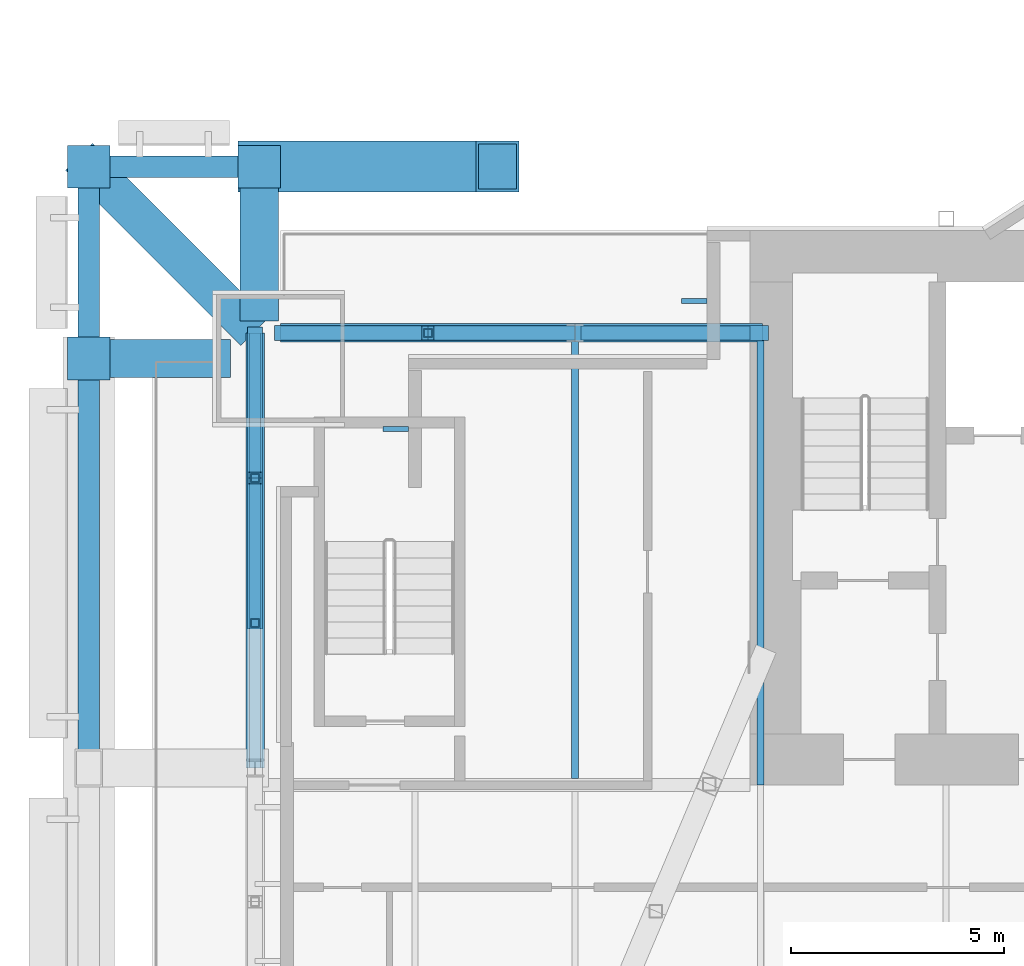
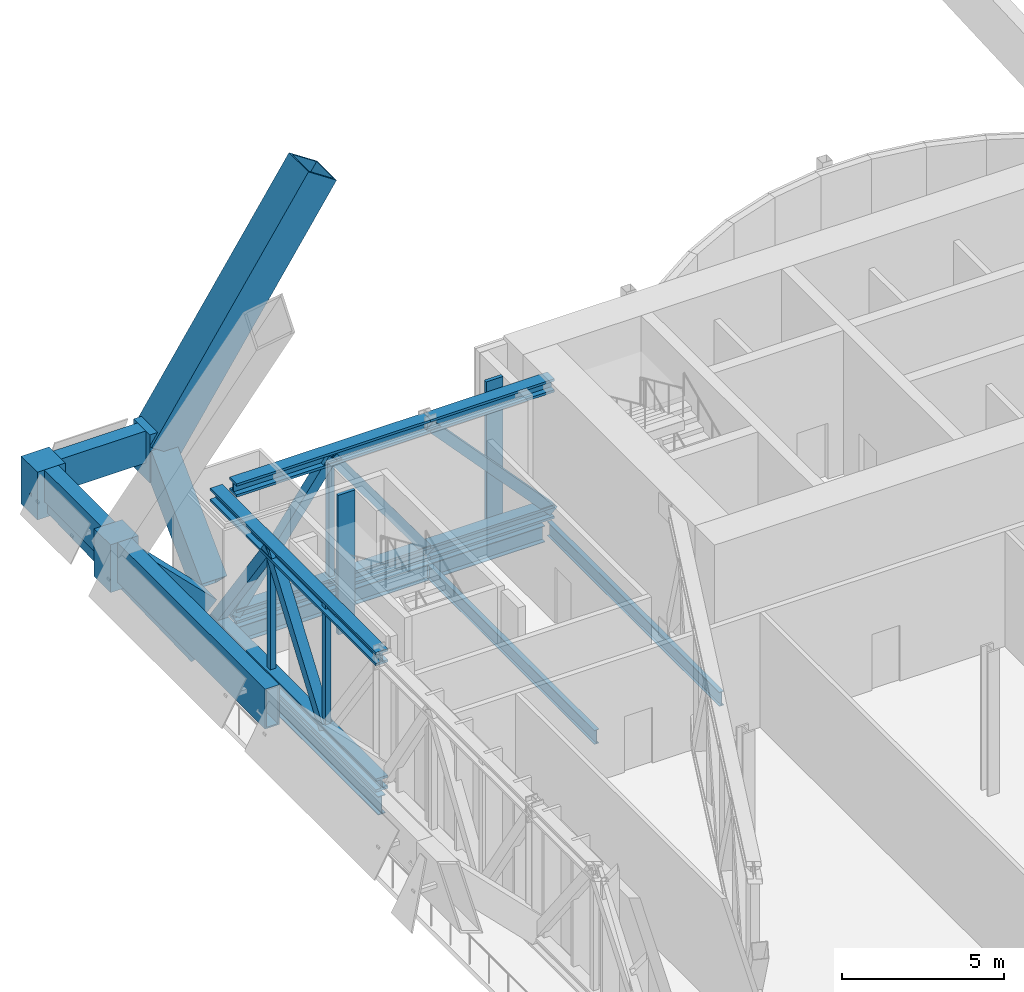
# One storey, part 14 of 32: 23 members, 8 beams, 1 element without a shape of its own.
"""IFC4 building model written with IfcOpenShell, lengths in metres."""

from ifc_helpers import new_model, si_unit, direction, frame, origin, origin_2d, place, context, subcontext, project, spatial, rectangle, hollow_rectangle, i_section, extrude, material, material_profile, profile_set, type_object, element, aggregate, save


model = new_model("IFC4")

# Units and contexts
model_context = context("Model", 3, precision=1e-05, world=origin(), true_north=direction((0.0, 1.0)))
body_context = subcontext(model_context, "Body", "Model", "MODEL_VIEW")
ifc_project = project(units=[si_unit("LENGTHUNIT", "METRE"), si_unit("AREAUNIT", "SQUARE_METRE"), si_unit("VOLUMEUNIT", "CUBIC_METRE"), si_unit("PLANEANGLEUNIT", "RADIAN"), si_unit("MASSUNIT", "GRAM", prefix="KILO")], contexts=[model_context])

# Site, building, storey
site_placement = place(None, origin())
site = spatial("IfcSite", under=ifc_project, at=site_placement, CompositionType="ELEMENT")
building_placement = place(site_placement, origin())
building = spatial("IfcBuilding", under=site, at=building_placement, Name="Bicima Exchange Tower", CompositionType="ELEMENT")
storey_placement = place(building_placement, frame((0.0, 0.0, 84.5)))
storey = spatial("IfcBuildingStorey", under=building, at=storey_placement, Name="L17", CompositionType="ELEMENT", Elevation=84.5)

# Curtain wall, members
ifc_material_1 = material(Name="Anodised bronze aluminium", Category="aluminium")
curtain_wall_type = type_object("IfcCurtainWallType", Name="Band blade screen", PredefinedType="NOTDEFINED", material=ifc_material_1)
curtain_wall_placement = place(storey_placement, origin())
curtain_wall = element("IfcCurtainWall", 1, at=curtain_wall_placement, inside=storey, type_object=curtain_wall_type, Name="Band blade screen L17", PredefinedType="NOTDEFINED")
ifc_material_profile_1 = material_profile(ifc_material_1, rectangle(XDim=0.60009765625, YDim=0.1201171875, at=origin_2d()))
ifc_profile_set_1 = profile_set([ifc_material_profile_1], Name="Anodised bronze aluminium")
member_type_1 = type_object("IfcMemberType", Name="Band blade fin 600 x 120", PredefinedType="USERDEFINED", material=ifc_profile_set_1)
member_1_placement = place(storey_placement, frame((-23.300048828125, -1.64990234375, 0.0), z_axis=(0.0, 0.0, 1.0), x_axis=(1.0, 0.0, 0.0)))
member_1 = element("IfcMember", 2, at=member_1_placement, type_object=member_type_1, Name="Band blade fin 14", ObjectType="FIN", PredefinedType="USERDEFINED", context=body_context, shape_type="SweptSolid", body=[
    extrude(rectangle(XDim=0.60009765625, YDim=0.1201171875, at=origin_2d()), origin(), (0.0, 0.0, 1.0), 5.25),
])
member_2_placement = place(storey_placement, frame((-30.300048828125, -4.64990234375, 0.0), z_axis=(0.0, 0.0, 1.0), x_axis=(1.0, 0.0, 0.0)))
member_2 = element("IfcMember", 3, at=member_2_placement, type_object=member_type_1, Name="Band blade fin 15", ObjectType="FIN", PredefinedType="USERDEFINED", context=body_context, shape_type="SweptSolid", body=[
    extrude(rectangle(XDim=0.60009765625, YDim=0.1201171875, at=origin_2d()), origin(), (0.0, 0.0, 1.0), 5.25),
])
aggregate(curtain_wall, [member_1, member_2])

# Beams
ifc_material_2 = material(Name="Steel ASTM A572 Gr 50", Category="steel")
ifc_material_profile_2 = material_profile(ifc_material_2, hollow_rectangle(XDim=0.5, YDim=1.199951171875, WallThickness=0.0400390625, at=origin_2d()))
ifc_profile_set_2 = profile_set([ifc_material_profile_2], Name="Steel ASTM A572 Gr 50")
beam_type_1 = type_object("IfcBeamType", Name="Belt girder BOX 500x1200x40", PredefinedType="BEAM", material=ifc_profile_set_2)
beam_1_placement = place(storey_placement, frame((-33.5, 1.5, 4.64990234375), z_axis=(-1.0, 0.0, 0.0), x_axis=(0.0, -1.0, 0.0)))
element("IfcBeam", 4, at=beam_1_placement, inside=storey, type_object=beam_type_1, Name="Belt girder", PredefinedType="BEAM", context=body_context, shape_type="SweptSolid", body=[
    extrude(hollow_rectangle(XDim=0.5, YDim=1.199951171875, WallThickness=0.0400390625, at=origin_2d()), origin(), (0.0, 0.0, 1.0), 4.0),
])
beam_2_placement = place(storey_placement, frame((-37.5, 1.5, 4.64990234375), z_axis=(0.0, -1.0, 0.0), x_axis=(1.0, 0.0, 0.0)))
element("IfcBeam", 5, at=beam_2_placement, inside=storey, type_object=beam_type_1, Name="Belt girder", PredefinedType="BEAM", context=body_context, shape_type="SweptSolid", body=[
    extrude(hollow_rectangle(XDim=0.5, YDim=1.199951171875, WallThickness=0.0400390625, at=origin_2d()), origin(), (0.0, 0.0, 1.0), 4.5),
])
ifc_material_profile_3 = material_profile(ifc_material_2, hollow_rectangle(XDim=0.5, YDim=1.5, WallThickness=0.050048828125, at=origin_2d()))
ifc_profile_set_3 = profile_set([ifc_material_profile_3], Name="Steel ASTM A572 Gr 50")
beam_type_2 = type_object("IfcBeamType", Name="Belt girder BOX 500x1500x50", PredefinedType="BEAM", material=ifc_profile_set_3)
beam_3_placement = place(storey_placement, frame((-37.5, -3.0, 4.5), z_axis=(0.0, -1.0, 0.0), x_axis=(1.0, 0.0, 0.0)))
element("IfcBeam", 6, at=beam_3_placement, inside=storey, type_object=beam_type_2, Name="Belt girder", PredefinedType="BEAM", context=body_context, shape_type="SweptSolid", body=[
    extrude(hollow_rectangle(XDim=0.5, YDim=1.5, WallThickness=0.050048828125, at=origin_2d()), origin(), (0.0, 0.0, 1.0), 9.60009765625),
])

# Members
ifc_material_3 = material(Name="Steel ASTM A992 Gr 50", Category="steel")
ifc_material_profile_4 = material_profile(ifc_material_3, i_section(OverallWidth=0.431884765625, OverallDepth=0.497802734375, WebThickness=0.0556640625, FlangeThickness=0.0888671875, at=origin_2d()))
ifc_profile_set_4 = profile_set([ifc_material_profile_4], Name="Steel ASTM A992 Gr 50")
member_type_2 = type_object("IfcMemberType", Name="Belt truss chord W14x500", PredefinedType="CHORD", material=ifc_profile_set_4)
for number, where, z_axis, x_axis, name in (
    (7, (-21.699951171875, -2.39990234375, 5.001220703125), (-1.0, 0.0, 0.0), (0.0, -1.0, 0.0), "Top chord"),
    (8, (-21.699951171875, -2.39990234375, 0.248779296875), (-1.0, 0.0, 0.0), (0.0, -1.0, 0.0), "Bottom chord"),
):
    element("IfcMember", number, at=place(storey_placement, frame(where, z_axis=z_axis, x_axis=x_axis)), inside=storey, type_object=member_type_2, Name=name, PredefinedType="CHORD", context=body_context, shape_type="SweptSolid", body=[
        extrude(i_section(OverallWidth=0.431884765625, OverallDepth=0.497802734375, WebThickness=0.0556640625, FlangeThickness=0.0888671875, at=origin_2d()), origin(), (0.0, 0.0, 1.0), 4.400146484375),
    ])
for number, where, z_axis, x_axis, name in (
    (9, (-26.10009765625, -2.39990234375, 5.001220703125), (-1.0, 0.0, 0.0), (0.0, -1.0, 0.0), "Top chord"),
    (10, (-26.10009765625, -2.39990234375, 0.248779296875), (-1.0, 0.0, 0.0), (0.0, -1.0, 0.0), "Bottom chord"),
):
    element("IfcMember", number, at=place(storey_placement, frame(where, z_axis=z_axis, x_axis=x_axis)), inside=storey, type_object=member_type_2, Name=name, PredefinedType="CHORD", context=body_context, shape_type="SweptSolid", body=[
        extrude(i_section(OverallWidth=0.431884765625, OverallDepth=0.497802734375, WebThickness=0.0556640625, FlangeThickness=0.0888671875, at=origin_2d()), origin(), (0.0, 0.0, 1.0), 6.89990234375),
    ])
for number, where, z_axis, x_axis, name in (
    (11, (-33.60009765625, -2.39990234375, 5.001220703125), (0.0, -1.0, 0.0), (1.0, 0.0, 0.0), "Top chord"),
    (12, (-33.60009765625, -2.39990234375, 0.248779296875), (0.0, -1.0, 0.0), (1.0, 0.0, 0.0), "Bottom chord"),
):
    element("IfcMember", number, at=place(storey_placement, frame(where, z_axis=z_axis, x_axis=x_axis)), inside=storey, type_object=member_type_2, Name=name, PredefinedType="CHORD", context=body_context, shape_type="SweptSolid", body=[
        extrude(i_section(OverallWidth=0.431884765625, OverallDepth=0.497802734375, WebThickness=0.0556640625, FlangeThickness=0.0888671875, at=origin_2d()), origin(), (0.0, 0.0, 1.0), 10.2001953125),
    ])
ifc_material_profile_5 = material_profile(ifc_material_2, hollow_rectangle(XDim=0.355712890625, YDim=0.355712890625, WallThickness=0.0146484375, at=origin_2d()))
ifc_profile_set_5 = profile_set([ifc_material_profile_5], Name="Steel ASTM A572 Gr 50")
member_type_3 = type_object("IfcMemberType", Name="Belt truss diagonal HSS14x14x5/8", PredefinedType="STRUT", material=ifc_profile_set_5)
member_3_placement = place(storey_placement, frame((-21.699951171875, -2.39990234375, 0.248779296875), z_axis=(-0.67938623239, 0.0, 0.733780857776), x_axis=(0.0, -1.0, 0.0)))
element("IfcMember", 13, at=member_3_placement, inside=storey, type_object=member_type_3, Name="Truss diagonal", PredefinedType="STRUT", context=body_context, shape_type="SweptSolid", body=[
    extrude(hollow_rectangle(XDim=0.355712890625, YDim=0.355712890625, WallThickness=0.0146484375, at=origin_2d()), origin(), (0.0, 0.0, 1.0), 6.4765625),
])
for number, where, z_axis, x_axis, name in (
    (14, (-26.10009765625, -2.39990234375, 0.248779296875), (-0.587462041023, 0.0, 0.809251722493), (0.0, -1.0, 0.0), "Truss diagonal"),
    (15, (-29.550048828125, -2.39990234375, 5.001220703125), (-0.587462041023, 0.0, -0.809251722493), (0.0, -1.0, 0.0), "Truss diagonal"),
):
    element("IfcMember", number, at=place(storey_placement, frame(where, z_axis=z_axis, x_axis=x_axis)), inside=storey, type_object=member_type_3, Name=name, PredefinedType="STRUT", context=body_context, shape_type="SweptSolid", body=[
        extrude(hollow_rectangle(XDim=0.355712890625, YDim=0.355712890625, WallThickness=0.0146484375, at=origin_2d()), origin(), (0.0, 0.0, 1.0), 5.87255859375),
    ])
member_4_placement = place(storey_placement, frame((-33.60009765625, -2.39990234375, 0.248779296875), z_axis=(0.0, -0.581866410253, 0.813284378688), x_axis=(1.0, 0.0, 0.0)))
element("IfcMember", 16, at=member_4_placement, inside=storey, type_object=member_type_3, Name="Truss diagonal", PredefinedType="STRUT", context=body_context, shape_type="SweptSolid", body=[
    extrude(hollow_rectangle(XDim=0.355712890625, YDim=0.355712890625, WallThickness=0.0146484375, at=origin_2d()), origin(), (0.0, 0.0, 1.0), 5.843505859375),
])
member_5_placement = place(storey_placement, frame((-33.60009765625, -5.800048828125, 5.001220703125), z_axis=(0.0, -0.581838774812, -0.813304149827), x_axis=(1.0, 0.0, 0.0)))
element("IfcMember", 17, at=member_5_placement, inside=storey, type_object=member_type_3, Name="Truss diagonal", PredefinedType="STRUT", context=body_context, shape_type="SweptSolid", body=[
    extrude(hollow_rectangle(XDim=0.355712890625, YDim=0.355712890625, WallThickness=0.0146484375, at=origin_2d()), origin(), (0.0, 0.0, 1.0), 5.84326171875),
])
ifc_material_profile_6 = material_profile(ifc_material_2, hollow_rectangle(XDim=0.203125, YDim=0.203125, WallThickness=0.01171875, at=origin_2d()))
ifc_profile_set_6 = profile_set([ifc_material_profile_6], Name="Steel ASTM A572 Gr 50")
member_type_4 = type_object("IfcMemberType", Name="Belt truss post HSS8x8x1/2", PredefinedType="POST", material=ifc_profile_set_6)
for number, where, z_axis, x_axis, name in (
    (18, (-29.550048828125, -2.39990234375, 0.248779296875), (0.0, 0.0, 1.0), (1.0, 0.0, 0.0), "Truss post"),
    (19, (-33.60009765625, -5.800048828125, 0.248779296875), (0.0, 0.0, 1.0), (1.0, 0.0, 0.0), "Truss post"),
    (20, (-33.60009765625, -9.199951171875, 0.248779296875), (0.0, 0.0, 1.0), (1.0, 0.0, 0.0), "Truss post"),
):
    element("IfcMember", number, at=place(storey_placement, frame(where, z_axis=z_axis, x_axis=x_axis)), inside=storey, type_object=member_type_4, Name=name, PredefinedType="POST", context=body_context, shape_type="SweptSolid", body=[
        extrude(hollow_rectangle(XDim=0.203125, YDim=0.203125, WallThickness=0.01171875, at=origin_2d()), origin(), (0.0, 0.0, 1.0), 4.75244140625),
    ])

# Beam
ifc_material_profile_7 = material_profile(ifc_material_3, i_section(OverallWidth=0.256591796875, OverallDepth=0.693359375, WebThickness=0.014404296875, FlangeThickness=0.023681640625, at=origin_2d()))
ifc_profile_set_7 = profile_set([ifc_material_profile_7], Name="Steel ASTM A992 Gr 50")
beam_type_3 = type_object("IfcBeamType", Name="End girder W27x114", PredefinedType="BEAM", material=ifc_profile_set_7)
beam_4_placement = place(storey_placement, frame((-33.60009765625, -2.39990234375, -0.546630859375), z_axis=(0.0, -1.0, 0.0), x_axis=(1.0, 0.0, 0.0)))
element("IfcBeam", 21, at=beam_4_placement, inside=storey, type_object=beam_type_3, Name="End girder", PredefinedType="BEAM", context=body_context, shape_type="SweptSolid", body=[
    extrude(i_section(OverallWidth=0.256591796875, OverallDepth=0.693359375, WebThickness=0.014404296875, FlangeThickness=0.023681640625, at=origin_2d()), origin(), (0.0, 0.0, 1.0), 10.2001953125),
])

# Members
ifc_material_profile_8 = material_profile(ifc_material_2, hollow_rectangle(XDim=1.199951171875, YDim=1.199951171875, WallThickness=0.070068359375, at=origin_2d()))
ifc_profile_set_8 = profile_set([ifc_material_profile_8], Name="Steel ASTM A572 Gr 50")
member_type_5 = type_object("IfcMemberType", Name="Exo mega brace BOX 1200x1200x70", PredefinedType="BRACE", material=ifc_profile_set_8)
member_6_placement = place(storey_placement, frame((-33.5, 1.5, 4.5), z_axis=(0.552785436873, 0.0, 0.833323623079), x_axis=(0.0, 1.0, 0.0)))
element("IfcMember", 22, at=member_6_placement, inside=storey, type_object=member_type_5, Name="Exo mega brace rear", PredefinedType="BRACE", context=body_context, shape_type="SweptSolid", body=[
    extrude(hollow_rectangle(XDim=1.199951171875, YDim=1.199951171875, WallThickness=0.070068359375, at=origin_2d()), origin(), (0.0, 0.0, 1.0), 10.10009765625),
])
ifc_material_4 = material(Name="Cast steel ASTM A216 Gr WCB", Category="steel")
ifc_material_profile_9 = material_profile(ifc_material_4, rectangle(XDim=1.0, YDim=1.0, at=origin_2d()))
ifc_profile_set_9 = profile_set([ifc_material_profile_9], Name="Cast steel ASTM A216 Gr WCB")
member_type_6 = type_object("IfcMemberType", Name="Exo node block", PredefinedType="POST", material=ifc_profile_set_9)
for number, where, z_axis, x_axis, name in (
    (23, (-33.5, 1.5, 3.449951171875), (0.0, 0.0, 1.0), (1.0, 0.0, 0.0), "Exo node block"),
    (24, (-37.5, 1.5, 3.449951171875), (0.0, 0.0, 1.0), (1.0, 0.0, 0.0), "Exo node block"),
    (25, (-37.5, -3.0, 3.449951171875), (0.0, 0.0, 1.0), (1.0, 0.0, 0.0), "Exo node block"),
):
    element("IfcMember", number, at=place(storey_placement, frame(where, z_axis=z_axis, x_axis=x_axis)), inside=storey, type_object=member_type_6, Name=name, PredefinedType="POST", context=body_context, shape_type="SweptSolid", body=[
        extrude(rectangle(XDim=1.0, YDim=1.0, at=origin_2d()), origin(), (0.0, 0.0, 1.0), 1.800048828125),
    ])
ifc_material_profile_10 = material_profile(ifc_material_2, hollow_rectangle(XDim=0.89990234375, YDim=0.89990234375, WallThickness=0.050048828125, at=origin_2d()))
ifc_profile_set_10 = profile_set([ifc_material_profile_10], Name="Steel ASTM A572 Gr 50")
member_type_7 = type_object("IfcMemberType", Name="Exo outrigger stub BOX 900x900x50", PredefinedType="STRUT", material=ifc_profile_set_10)
member_7_placement = place(storey_placement, frame((-33.5, -1.800048828125, 1.199951171875), z_axis=(0.0, 0.707106781187, 0.707106781187), x_axis=(-1.0, 0.0, 0.0)))
element("IfcMember", 26, at=member_7_placement, inside=storey, type_object=member_type_7, Name="Exo outrigger stub", PredefinedType="STRUT", context=body_context, shape_type="SweptSolid", body=[
    extrude(hollow_rectangle(XDim=0.89990234375, YDim=0.89990234375, WallThickness=0.050048828125, at=origin_2d()), origin(), (0.0, 0.0, 1.0), 4.6669921875),
])
member_8_placement = place(storey_placement, frame((-33.848388671875, -2.151611328125, -0.864013671875), z_axis=(-0.490420188057, 0.490420188057, 0.72039994329), x_axis=(-0.707106781187, -0.707106781187, 0.0)))
element("IfcMember", 27, at=member_8_placement, inside=storey, type_object=member_type_7, Name="Exo outrigger stub", PredefinedType="STRUT", context=body_context, shape_type="SweptSolid", body=[
    extrude(hollow_rectangle(XDim=0.89990234375, YDim=0.89990234375, WallThickness=0.050048828125, at=origin_2d()), origin(), (0.0, 0.0, 1.0), 7.44580078125),
])
member_9_placement = place(storey_placement, frame((-34.5, -3.0, 1.5), z_axis=(-0.707106781187, 0.0, 0.707106781187), x_axis=(0.0, -1.0, 0.0)))
element("IfcMember", 28, at=member_9_placement, inside=storey, type_object=member_type_7, Name="Exo outrigger stub", PredefinedType="STRUT", context=body_context, shape_type="SweptSolid", body=[
    extrude(hollow_rectangle(XDim=0.89990234375, YDim=0.89990234375, WallThickness=0.050048828125, at=origin_2d()), origin(), (0.0, 0.0, 1.0), 4.24267578125),
])

# Beams
ifc_material_profile_11 = material_profile(ifc_material_3, i_section(OverallWidth=0.165771484375, OverallDepth=0.5283203125, WebThickness=0.009765625, FlangeThickness=0.013671875, at=origin_2d()))
ifc_profile_set_11 = profile_set([ifc_material_profile_11], Name="Steel ASTM A992 Gr 50")
beam_type_4 = type_object("IfcBeamType", Name="Floor beam W21x50", PredefinedType="JOIST", material=ifc_profile_set_11)
beam_5_placement = place(storey_placement, frame((-26.10009765625, -2.5625, -0.464111328125), z_axis=(0.0, -1.0, 0.0), x_axis=(1.0, 0.0, 0.0)))
element("IfcBeam", 29, at=beam_5_placement, inside=storey, type_object=beam_type_4, Name="Floor beam", PredefinedType="JOIST", context=body_context, shape_type="SweptSolid", body=[
    extrude(i_section(OverallWidth=0.165771484375, OverallDepth=0.5283203125, WebThickness=0.009765625, FlangeThickness=0.013671875, at=origin_2d()), origin(), (0.0, 0.0, 1.0), 10.28515625),
])
beam_6_placement = place(storey_placement, frame((-21.75, -2.39990234375, -0.464111328125), z_axis=(0.0, -1.0, 0.0), x_axis=(1.0, 0.0, 0.0)))
element("IfcBeam", 30, at=beam_6_placement, inside=storey, type_object=beam_type_4, Name="Floor beam", PredefinedType="JOIST", context=body_context, shape_type="SweptSolid", body=[
    extrude(i_section(OverallWidth=0.165771484375, OverallDepth=0.5283203125, WebThickness=0.009765625, FlangeThickness=0.013671875, at=origin_2d()), origin(), (0.0, 0.0, 1.0), 10.60009765625),
])
ifc_material_profile_12 = material_profile(ifc_material_3, i_section(OverallWidth=0.3251953125, OverallDepth=0.612060546875, WebThickness=0.0126953125, FlangeThickness=0.01904296875, at=origin_2d()))
ifc_profile_set_12 = profile_set([ifc_material_profile_12], Name="Steel ASTM A992 Gr 50")
beam_type_5 = type_object("IfcBeamType", Name="Rear girder W24x104", PredefinedType="BEAM", material=ifc_profile_set_12)
beam_7_placement = place(storey_placement, frame((-22.0, -2.39990234375, -0.506103515625), z_axis=(-1.0, 0.0, 0.0), x_axis=(0.0, -1.0, 0.0)))
element("IfcBeam", 31, at=beam_7_placement, inside=storey, type_object=beam_type_5, Name="Rear girder", PredefinedType="BEAM", context=body_context, shape_type="SweptSolid", body=[
    extrude(i_section(OverallWidth=0.3251953125, OverallDepth=0.612060546875, WebThickness=0.0126953125, FlangeThickness=0.01904296875, at=origin_2d()), origin(), (0.0, 0.0, 1.0), 4.10009765625),
])
beam_8_placement = place(storey_placement, frame((-26.10009765625, -2.39990234375, -0.506103515625), z_axis=(-1.0, 0.0, 0.0), x_axis=(0.0, -1.0, 0.0)))
element("IfcBeam", 32, at=beam_8_placement, inside=storey, type_object=beam_type_5, Name="Rear girder", PredefinedType="BEAM", context=body_context, shape_type="SweptSolid", body=[
    extrude(i_section(OverallWidth=0.3251953125, OverallDepth=0.612060546875, WebThickness=0.0126953125, FlangeThickness=0.01904296875, at=origin_2d()), origin(), (0.0, 0.0, 1.0), 6.89990234375),
])

save(model, "model.ifc")
